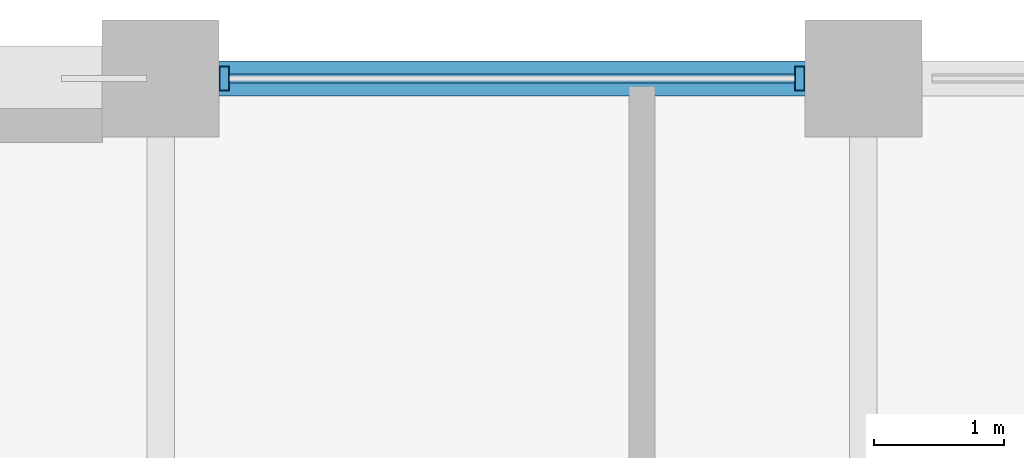
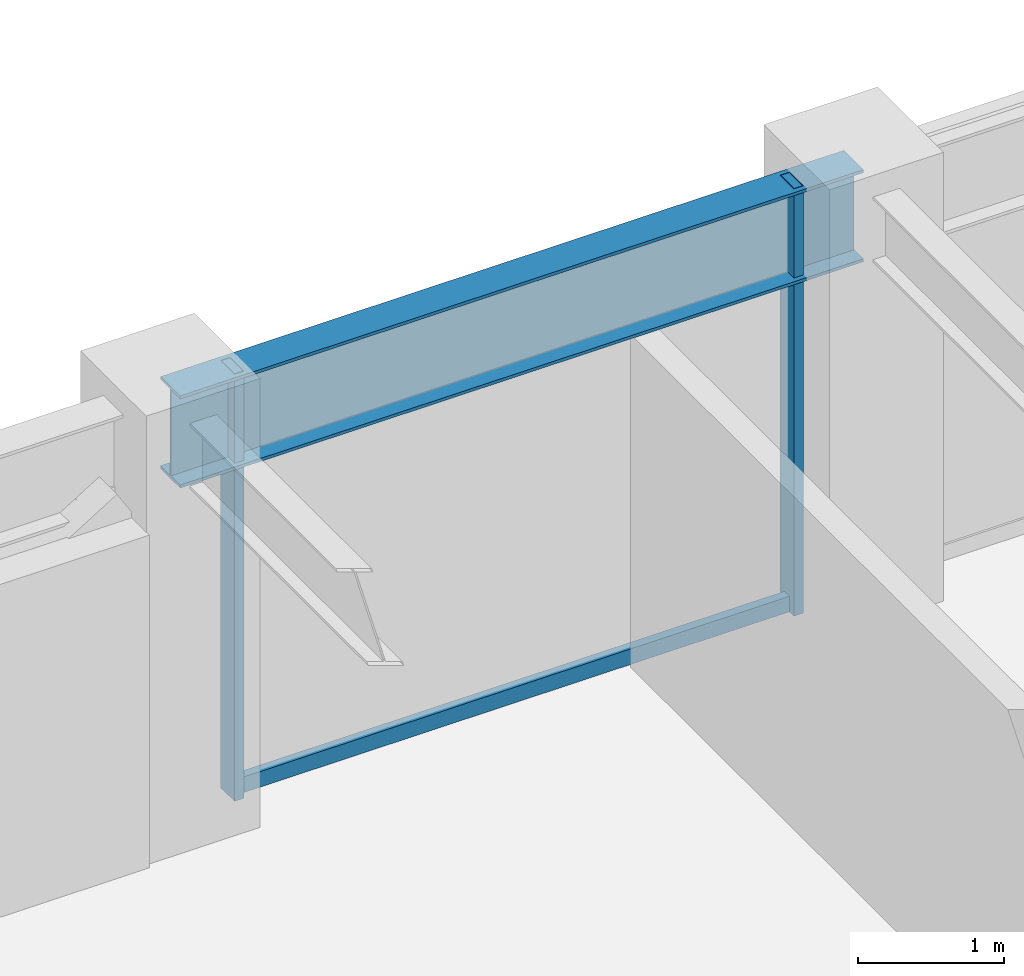
# One storey, part 23 of 32: 3 members, 1 beam, 1 element without a shape of its own.
"""IFC4 building model written with IfcOpenShell, lengths in metres."""

import ifcopenshell
import ifcopenshell.guid

model = None  # the IFC model being written
_history = None  # IfcOwnerHistory: only IFC2X3 demands one
_inside = {}  # id of a spatial element -> (the spatial element, [elements in it])
_under = {}  # id of a project, library or spatial element -> (it, [spatial elements below it])
_declared = {}  # id of a project -> (the project, [libraries it declares])
_typed = {}  # id of a type object -> (the type object, [elements of that type])
_made_of = {}  # id of a material, layer set ... -> (it, [elements and type objects made of it])


def new_model(schema):
    """Start an empty IFC model of exactly this schema.

    Asked for "IFC4X3", IfcOpenShell would pick the latest addendum, in which some entities
    have other attributes; the version numbers below select the first issue.
    IFC2X3 requires an IfcOwnerHistory on every rooted entity: one is made here for all.
    """
    global model, _history
    if schema == "IFC4X3":
        model = ifcopenshell.file(schema_version=(4, 3, 0, 0))
    else:
        model = ifcopenshell.file(schema=schema)
    _inside.clear()
    _under.clear()
    _declared.clear()
    _typed.clear()
    _made_of.clear()
    _history = None
    if model.schema == "IFC2X3":
        org = make("IfcOrganization", Name="unknown")
        user = make(
            "IfcPersonAndOrganization",
            ThePerson=make("IfcPerson", FamilyName="unknown"),
            TheOrganization=org,
        )
        app = make(
            "IfcApplication",
            ApplicationDeveloper=org,
            Version="unknown",
            ApplicationFullName="unknown",
            ApplicationIdentifier="unknown",
        )
        _history = make(
            "IfcOwnerHistory",
            OwningUser=user,
            OwningApplication=app,
            ChangeAction="ADDED",
            CreationDate=0,
        )
    return model


def make(cls, **values):
    """One entity of the class cls with the attributes given. An attribute that is None is left unset."""
    return model.create_entity(
        cls, **{name: value for name, value in values.items() if value is not None}
    )


def rooted(cls, **values):
    """An entity with a GlobalId (a new one), such as an element, a storey or a relation."""
    return make(cls, GlobalId=ifcopenshell.guid.new(), OwnerHistory=_history, **values)


def si_unit(unit_type, name, prefix=None):
    """IfcSIUnit, for example si_unit("LENGTHUNIT", "METRE", prefix="MILLI")."""
    return make("IfcSIUnit", UnitType=unit_type, Prefix=prefix, Name=name)


def assignment(units):
    """IfcUnitAssignment: the units of a project."""
    return None if units is None else make("IfcUnitAssignment", Units=units)


def point(xyz):
    """IfcCartesianPoint."""
    return None if xyz is None else make("IfcCartesianPoint", Coordinates=xyz)


def direction(xyz):
    """IfcDirection."""
    return None if xyz is None else make("IfcDirection", DirectionRatios=xyz)


def frame(location, z_axis=None, x_axis=None):
    """IfcAxis2Placement3D, a coordinate frame: its origin and axes. An axis left out is left unset."""
    return make(
        "IfcAxis2Placement3D",
        Location=point(location),
        Axis=direction(z_axis),
        RefDirection=direction(x_axis),
    )


def frame_2d(location, x_axis=None):
    """IfcAxis2Placement2D, a coordinate frame in the plane: its origin and x axis."""
    return make(
        "IfcAxis2Placement2D", Location=point(location), RefDirection=direction(x_axis)
    )


def origin():
    """The frame at (0, 0, 0) with its axes left unset."""
    return frame((0.0, 0.0, 0.0))


def origin_2d():
    """The frame at (0, 0) in the plane with its x axis left unset."""
    return frame_2d((0.0, 0.0))


def place(relative_to, where):
    """IfcLocalPlacement: puts the frame where relative to a parent placement (None: the world)."""
    return make(
        "IfcLocalPlacement", PlacementRelTo=relative_to, RelativePlacement=where
    )


def context(
    kind, dimensions, precision=None, world=None, true_north=None, identifier=None
):
    """IfcGeometricRepresentationContext, for example the 3D "Model" context."""
    return make(
        "IfcGeometricRepresentationContext",
        ContextIdentifier=identifier,
        ContextType=kind,
        CoordinateSpaceDimension=dimensions,
        Precision=precision,
        WorldCoordinateSystem=world,
        TrueNorth=true_north,
    )


def subcontext(parent, identifier, kind, view, scale=None):
    """IfcGeometricRepresentationSubContext, for example "Body" below "Model"."""
    return make(
        "IfcGeometricRepresentationSubContext",
        ContextIdentifier=identifier,
        ContextType=kind,
        ParentContext=parent,
        TargetScale=scale,
        TargetView=view,
    )


def project(units=None, contexts=None):
    """IfcProject with its units and contexts."""
    return rooted(
        "IfcProject",
        Name="project",
        RepresentationContexts=contexts,
        UnitsInContext=assignment(units),
    )


def spatial(cls, under=None, at=None, **own):
    """A site, building, storey or space (cls), placed at a placement, below another one or the project."""
    s = rooted(cls, ObjectPlacement=at, **own)
    if under is not None:
        _under.setdefault(under.id(), (under, []))[1].append(s)
    return s


def profile(cls, at=None, kind="AREA", **sizes):
    """A parametric profile (cls). Its sizes go by their IFC names, for example OverallWidth=200.0."""
    return make(cls, ProfileType=kind, Position=at, **sizes)


def hollow_rectangle(**sizes):
    """IfcRectangleHollowProfileDef."""
    return profile("IfcRectangleHollowProfileDef", **sizes)


def i_section(**sizes):
    """IfcIShapeProfileDef."""
    return profile("IfcIShapeProfileDef", **sizes)


def extrude(swept, where, along, depth):
    """IfcExtrudedAreaSolid: the profile swept, set in the frame where, extruded along a direction by depth."""
    return make(
        "IfcExtrudedAreaSolid",
        SweptArea=swept,
        Position=where,
        ExtrudedDirection=direction(along),
        Depth=depth,
    )


def shape(context_of_items, identifier, shape_type, items):
    """IfcShapeRepresentation: the items that make up one representation, for example the "Body"."""
    return make(
        "IfcShapeRepresentation",
        ContextOfItems=context_of_items,
        RepresentationIdentifier=identifier,
        RepresentationType=shape_type,
        Items=items,
    )


def material(Name=None, Category=None):
    """IfcMaterial."""
    return make("IfcMaterial", Name=Name, Category=Category)


def layer(
    of_material, thickness, ventilated=None, Name=None, Category=None, Priority=None
):
    """IfcMaterialLayer: one layer of a wall or slab, of a material (None: an air gap)."""
    return make(
        "IfcMaterialLayer",
        Material=of_material,
        LayerThickness=thickness,
        IsVentilated=ventilated,
        Name=Name,
        Category=Category,
        Priority=Priority,
    )


def layer_set(layers, Name=None):
    """IfcMaterialLayerSet."""
    return make("IfcMaterialLayerSet", MaterialLayers=layers, LayerSetName=Name)


def material_profile(
    of_material, cross_section, Name=None, Category=None, Priority=None
):
    """IfcMaterialProfile: a cross section and its material."""
    return make(
        "IfcMaterialProfile",
        Name=Name,
        Material=of_material,
        Profile=cross_section,
        Priority=Priority,
        Category=Category,
    )


def profile_set(profiles, Name=None, composite=None):
    """IfcMaterialProfileSet."""
    return make(
        "IfcMaterialProfileSet",
        Name=Name,
        MaterialProfiles=profiles,
        CompositeProfile=composite,
    )


def made_of(thing, what):
    """Note that an element or type object is made of a material, layer set ...; save() writes the relation."""
    if what is not None:
        _made_of.setdefault(what.id(), (what, []))[1].append(thing)
    return thing


def type_object(cls, material=None, **own):
    """A type object (cls), such as IfcWallType, which elements share."""
    return made_of(rooted(cls, **own), material)


def element(
    cls,
    number,
    at=None,
    inside=None,
    cuts=None,
    type_object=None,
    material=None,
    context=None,
    identifier="Body",
    shape_type=None,
    held_by="IfcProductDefinitionShape",
    body=None,
    shapes=None,
    **own,
):
    """One element of the class cls, such as IfcWall. Its Tag is "e" and its number.

    at: its placement. inside: the storey or other place that contains it. cuts: it is an
    opening in that element (IfcRelVoidsElement). A single representation is given by context,
    identifier, shape_type and body (its items); several are given by shapes. held_by: the class
    of the entity that holds the representations. save() writes the other relations.
    """
    e = rooted(cls, Tag="e%d" % number, ObjectPlacement=at, **own)
    if body is not None:
        shapes = [shape(context, identifier, shape_type, body)]
    if shapes is not None:
        e.Representation = make(held_by, Representations=shapes)
    if inside is not None:
        _inside.setdefault(inside.id(), (inside, []))[1].append(e)
    if cuts is not None:
        rooted(
            "IfcRelVoidsElement", RelatingBuildingElement=cuts, RelatedOpeningElement=e
        )
    if type_object is not None:
        _typed.setdefault(type_object.id(), (type_object, []))[1].append(e)
    return made_of(e, material)


def aggregate(whole, parts):
    """IfcRelAggregates: a whole, such as a stair, and the parts it consists of."""
    return rooted("IfcRelAggregates", RelatingObject=whole, RelatedObjects=parts)


def save(model, path):
    """Write the relations noted so far, then the file.

    IfcRelAggregates (storeys below a building ...), IfcRelContainedInSpatialStructure (elements
    in a storey), IfcRelDefinesByType, IfcRelAssociatesMaterial and IfcRelDeclares: one each for
    every whole, place, type object, material and project.
    """
    for whole, parts in _under.values():
        aggregate(whole, parts)
    for where, things in _inside.values():
        rooted(
            "IfcRelContainedInSpatialStructure",
            RelatedElements=things,
            RelatingStructure=where,
        )
    for kind, things in _typed.values():
        rooted("IfcRelDefinesByType", RelatedObjects=things, RelatingType=kind)
    for what, things in _made_of.values():
        rooted("IfcRelAssociatesMaterial", RelatedObjects=things, RelatingMaterial=what)
    for by, libraries in _declared.values():
        rooted("IfcRelDeclares", RelatingContext=by, RelatedDefinitions=libraries)
    model.write(path)


model = new_model("IFC4")

# Units and contexts
model_context = context("Model", 3, precision=1e-05, world=origin(), true_north=direction((0.0, 1.0)))
body_context = subcontext(model_context, "Body", "Model", "MODEL_VIEW")
ifc_project = project(units=[si_unit("LENGTHUNIT", "METRE"), si_unit("AREAUNIT", "SQUARE_METRE"), si_unit("VOLUMEUNIT", "CUBIC_METRE"), si_unit("PLANEANGLEUNIT", "RADIAN"), si_unit("MASSUNIT", "GRAM", prefix="KILO")], contexts=[model_context])

# Site, building, storey
site_placement = place(None, origin())
site = spatial("IfcSite", under=ifc_project, at=site_placement, CompositionType="ELEMENT")
building_placement = place(site_placement, origin())
building = spatial("IfcBuilding", under=site, at=building_placement, Name="Surkhivell Harbour Commons", CompositionType="ELEMENT")
storey_placement = place(building_placement, frame((0.0, 0.0, 204.75)))
storey = spatial("IfcBuildingStorey", under=building, at=storey_placement, Name="L53", CompositionType="ELEMENT", Elevation=204.75)

# Beam
ifc_material_1 = material(Name="Steel S355", Category="steel")
ifc_material_profile_1 = material_profile(ifc_material_1, i_section(OverallWidth=0.26806640625, OverallDepth=0.77001953125, WebThickness=0.015625, FlangeThickness=0.025390625, at=origin_2d()), Name="UB762x267x197")
ifc_profile_set_1 = profile_set([ifc_material_profile_1], Name="Steel S355")
beam_type = type_object("IfcBeamType", Name="BM-SPN-762", PredefinedType="SPANDREL", material=ifc_profile_set_1)
beam_placement = place(storey_placement, frame((5.39990234375, 25.89990234375, 3.18505859375), z_axis=(1.0, 0.0, 0.0), x_axis=(0.0, 1.0, 0.0)))
element("IfcBeam", 1, at=beam_placement, inside=storey, type_object=beam_type, Name="L53 Tube Spandrel (5.4,25.9)", PredefinedType="SPANDREL", context=body_context, shape_type="SweptSolid", body=[
    extrude(i_section(OverallWidth=0.26806640625, OverallDepth=0.77001953125, WebThickness=0.015625, FlangeThickness=0.025390625, at=origin_2d()), origin(), (0.0, 0.0, 1.0), 5.400146484375),
])

# Curtain wall, members
ifc_material_2 = material(Name="Anodised pale-metal aluminium and insulated glazing", Category="aluminium")
ifc_layer = layer(ifc_material_2, 0.18994140625)
ifc_layer_set = layer_set([ifc_layer], Name="Anodised pale-metal aluminium and insulated glazing")
curtain_wall_type = type_object("IfcCurtainWallType", Name="CW-SYS-Z3", PredefinedType="NOTDEFINED", material=ifc_layer_set)
curtain_wall_placement = place(storey_placement, origin())
curtain_wall = element("IfcCurtainWall", 2, at=curtain_wall_placement, inside=storey, type_object=curtain_wall_type, Name="L53 Curtain Wall CW-L53-E07S1", PredefinedType="NOTDEFINED")
ifc_material_3 = material(Name="Anodised pale-metal aluminium alloy 6063-T6", Category="aluminium")
ifc_material_profile_2 = material_profile(ifc_material_3, hollow_rectangle(XDim=0.074951171875, YDim=0.18994140625, WallThickness=0.00390625, at=origin_2d()), Name="ALU-MULL-75x190")
ifc_profile_set_2 = profile_set([ifc_material_profile_2], Name="Anodised pale-metal aluminium alloy 6063-T6")
member_type_1 = type_object("IfcMemberType", Name="CWM-190", PredefinedType="MULLION", material=ifc_profile_set_2)
member_1_placement = place(storey_placement, frame((10.310546875, 25.89990234375, 0.0), z_axis=(0.0, 0.0, 1.0), x_axis=(-1.0, 0.0, 0.0)))
member_1 = element("IfcMember", 3, at=member_1_placement, type_object=member_type_1, Name="CW-Z3 mullion 2", PredefinedType="MULLION", context=body_context, shape_type="SweptSolid", body=[
    extrude(hollow_rectangle(XDim=0.074951171875, YDim=0.18994140625, WallThickness=0.00390625, at=origin_2d()), origin(), (0.0, 0.0, 1.0), 3.570068359375),
])
member_2_placement = place(storey_placement, frame((5.889404296875, 25.89990234375, 0.0), z_axis=(0.0, 0.0, 1.0), x_axis=(-1.0, 0.0, 0.0)))
member_2 = element("IfcMember", 4, at=member_2_placement, type_object=member_type_1, Name="CW-Z3 mullion 3", PredefinedType="MULLION", context=body_context, shape_type="SweptSolid", body=[
    extrude(hollow_rectangle(XDim=0.074951171875, YDim=0.18994140625, WallThickness=0.00390625, at=origin_2d()), origin(), (0.0, 0.0, 1.0), 3.570068359375),
])
ifc_material_4 = material(Name="Champagne anodised aluminium alloy 6063-T6", Category="aluminium")
ifc_material_profile_3 = material_profile(ifc_material_4, hollow_rectangle(XDim=0.070068359375, YDim=0.1298828125, WallThickness=0.00341796875, at=origin_2d()), Name="ALU-TRAN-70x130")
ifc_profile_set_3 = profile_set([ifc_material_profile_3], Name="Champagne anodised aluminium alloy 6063-T6")
member_type_2 = type_object("IfcMemberType", Name="CWT-130", PredefinedType="USERDEFINED", material=ifc_profile_set_3)
member_3_placement = place(storey_placement, frame((10.27294921875, 25.89990234375, 0.06494140625), z_axis=(-1.0, 0.0, 0.0), x_axis=(0.0, -1.0, 0.0)))
member_3 = element("IfcMember", 5, at=member_3_placement, type_object=member_type_2, Name="CW-Z3 transom 2.1", ObjectType="TRANSOM", PredefinedType="USERDEFINED", context=body_context, shape_type="SweptSolid", body=[
    extrude(hollow_rectangle(XDim=0.070068359375, YDim=0.1298828125, WallThickness=0.00341796875, at=origin_2d()), origin(), (0.0, 0.0, 1.0), 4.345947265625),
])
aggregate(curtain_wall, [member_1, member_2, member_3])

save(model, "model.ifc")
